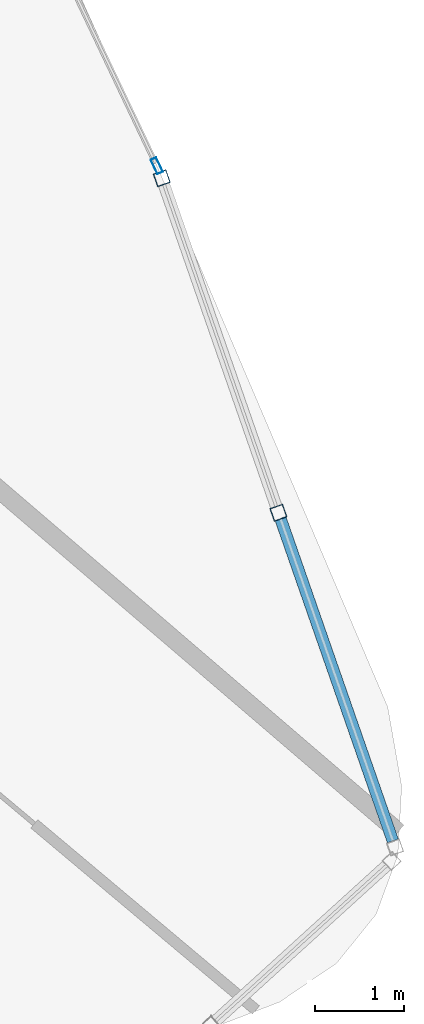
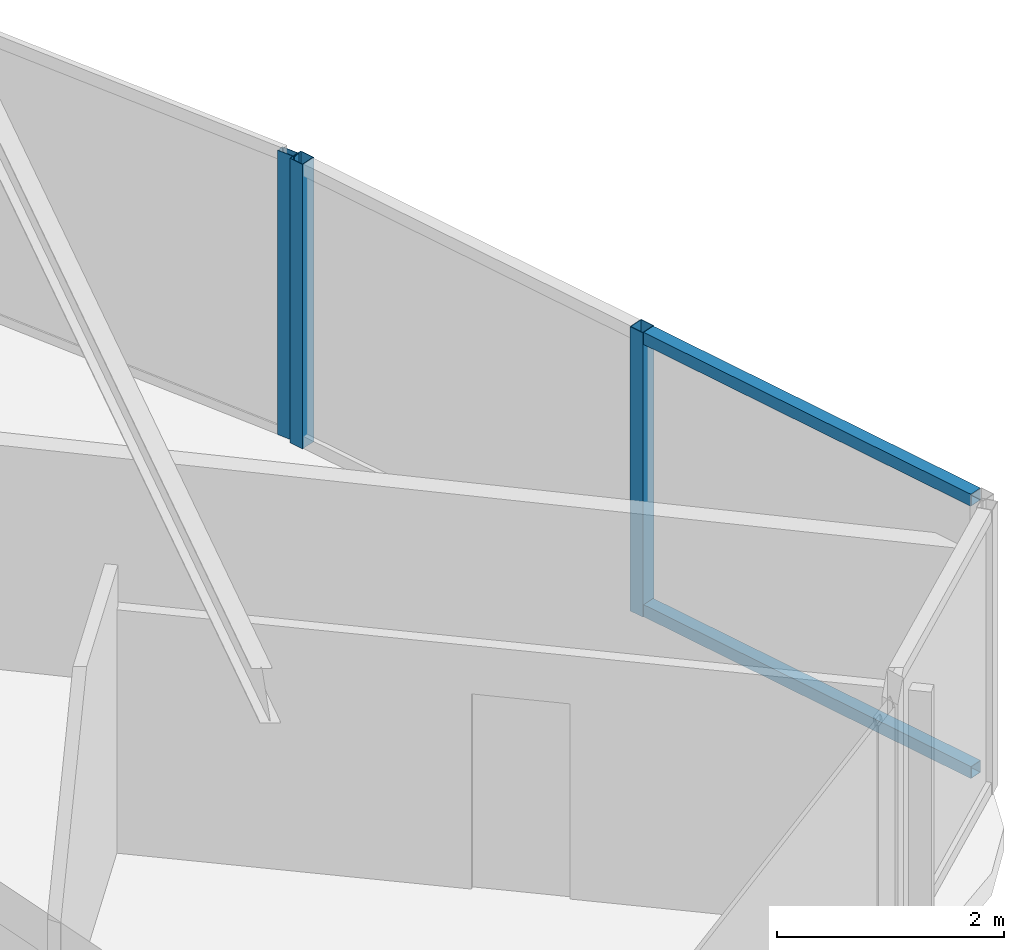
# One storey, part 16 of 35: 5 members, 2 elements without a shape of their own.
"""IFC4 building model written with IfcOpenShell, lengths in metres."""

from ifc_helpers import new_model, si_unit, direction, frame, origin, origin_2d, place, context, subcontext, project, spatial, hollow_rectangle, extrude, material, layer, layer_set, material_profile, profile_set, type_object, element, aggregate, save


model = new_model("IFC4")

# Units and contexts
model_context = context("Model", 3, precision=1e-05, world=origin(), true_north=direction((0.0, 1.0)))
body_context = subcontext(model_context, "Body", "Model", "MODEL_VIEW")
ifc_project = project(units=[si_unit("LENGTHUNIT", "METRE"), si_unit("AREAUNIT", "SQUARE_METRE"), si_unit("VOLUMEUNIT", "CUBIC_METRE"), si_unit("PLANEANGLEUNIT", "RADIAN"), si_unit("MASSUNIT", "GRAM", prefix="KILO")], contexts=[model_context])

# Site, building, storey
site_placement = place(None, origin())
site = spatial("IfcSite", under=ifc_project, at=site_placement, CompositionType="ELEMENT")
building_placement = place(site_placement, origin())
building = spatial("IfcBuilding", under=site, at=building_placement, Name="Orvanel Arch Residences", CompositionType="ELEMENT")
storey_placement = place(building_placement, frame((0.0, 0.0, 36.800048828125)))
storey = spatial("IfcBuildingStorey", under=building, at=storey_placement, Name="L09", CompositionType="ELEMENT", Elevation=36.800048828125)

# Curtain wall, members
ifc_material = material(Name="Bronze-anodised aluminium AA6063-T6", Category="aluminium")
ifc_layer_1 = layer(ifc_material, 0.18994140625)
ifc_layer_set_1 = layer_set([ifc_layer_1], Name="Bronze-anodised aluminium AA6063-T6")
curtain_wall_type_1 = type_object("IfcCurtainWallType", Name="CW5-CRN-SYS", PredefinedType="NOTDEFINED", material=ifc_layer_set_1)
curtain_wall_1_placement = place(storey_placement, origin())
curtain_wall_1 = element("IfcCurtainWall", 1, at=curtain_wall_1_placement, inside=storey, type_object=curtain_wall_type_1, Name="L09 CW5-CRN-SYS Unitised Curtain Wall", PredefinedType="NOTDEFINED")
ifc_material_profile_1 = material_profile(ifc_material, hollow_rectangle(XDim=0.14990234375, YDim=0.14990234375, WallThickness=0.0048828125, at=origin_2d()), Name="ALU150x150x5")
ifc_profile_set_1 = profile_set([ifc_material_profile_1], Name="Bronze-anodised aluminium AA6063-T6")
member_type_1 = type_object("IfcMemberType", Name="MUL-150x150", PredefinedType="MULLION", material=ifc_profile_set_1)
member_1_placement = place(storey_placement, frame((60.53857421875, 9.302978515625, 0.0), z_axis=(0.0, 0.0, 1.0), x_axis=(-0.94424408755, -0.329246265169, 0.0)))
member_1 = element("IfcMember", 2, at=member_1_placement, type_object=member_type_1, Name="CW-S5 mullion 2", PredefinedType="MULLION", context=body_context, shape_type="SweptSolid", body=[
    extrude(hollow_rectangle(XDim=0.14990234375, YDim=0.14990234375, WallThickness=0.0048828125, at=origin_2d()), origin(), (0.0, 0.0, 1.0), 3.06005859375),
])
member_2_placement = place(storey_placement, frame((59.234619140625, 13.042236328125, 0.0), z_axis=(0.0, 0.0, 1.0), x_axis=(-0.94424408755, -0.329246265169, 0.0)))
member_2 = element("IfcMember", 3, at=member_2_placement, type_object=member_type_1, Name="CW-S5 mullion 3", PredefinedType="MULLION", context=body_context, shape_type="SweptSolid", body=[
    extrude(hollow_rectangle(XDim=0.14990234375, YDim=0.14990234375, WallThickness=0.0048828125, at=origin_2d()), origin(), (0.0, 0.0, 1.0), 3.06005859375),
])

# Curtain wall, member
ifc_layer_2 = layer(ifc_material, 0.179931640625)
ifc_layer_set_2 = layer_set([ifc_layer_2], Name="Bronze-anodised aluminium AA6063-T6")
curtain_wall_type_2 = type_object("IfcCurtainWallType", Name="CW2-LOW-SYS", PredefinedType="NOTDEFINED", material=ifc_layer_set_2)
curtain_wall_2_placement = place(storey_placement, origin())
curtain_wall_2 = element("IfcCurtainWall", 4, at=curtain_wall_2_placement, inside=storey, type_object=curtain_wall_type_2, Name="L09 CW2-LOW-SYS Unitised Curtain Wall", PredefinedType="NOTDEFINED")
ifc_material_profile_2 = material_profile(ifc_material, hollow_rectangle(XDim=0.070068359375, YDim=0.179931640625, WallThickness=0.00439453125, at=origin_2d()), Name="ALU180x70x4.5")
ifc_profile_set_2 = profile_set([ifc_material_profile_2], Name="Bronze-anodised aluminium AA6063-T6")
member_type_2 = type_object("IfcMemberType", Name="MUL-180x70", PredefinedType="MULLION", material=ifc_profile_set_2)
member_3_placement = place(storey_placement, frame((59.178955078125, 13.181640625, 0.0), z_axis=(0.0, 0.0, 1.0), x_axis=(-0.903506444237, -0.4285745037, 0.0)))
member_3 = element("IfcMember", 5, at=member_3_placement, type_object=member_type_2, Name="CW-S2 mullion 1", PredefinedType="MULLION", context=body_context, shape_type="SweptSolid", body=[
    extrude(hollow_rectangle(XDim=0.070068359375, YDim=0.179931640625, WallThickness=0.00439453125, at=origin_2d()), origin(), (0.0, 0.0, 1.0), 3.06005859375),
])
aggregate(curtain_wall_2, [member_3])

# Member
ifc_material_profile_3 = material_profile(ifc_material, hollow_rectangle(XDim=0.1298828125, YDim=0.1298828125, WallThickness=0.00439453125, at=origin_2d()), Name="ALU130x130x4.5")
ifc_profile_set_3 = profile_set([ifc_material_profile_3], Name="Bronze-anodised aluminium AA6063-T6")
member_type_3 = type_object("IfcMemberType", Name="TRN-130x130", PredefinedType="USERDEFINED", material=ifc_profile_set_3)
member_4_placement = place(storey_placement, frame((61.817626953125, 5.634521484375, 0.06494140625), z_axis=(-0.329231329968, 0.944249295137, 0.0), x_axis=(-0.944249295137, -0.329231329968, 0.0)))
member_4 = element("IfcMember", 6, at=member_4_placement, type_object=member_type_3, Name="CW-S5 transom 1.1", ObjectType="TRANSOM", PredefinedType="USERDEFINED", context=body_context, shape_type="SweptSolid", body=[
    extrude(hollow_rectangle(XDim=0.1298828125, YDim=0.1298828125, WallThickness=0.00439453125, at=origin_2d()), origin(), (0.0, 0.0, 1.0), 3.81005859375),
])

member_5_placement = place(storey_placement, frame((61.817626953125, 5.634521484375, 2.994873046875), z_axis=(-0.329231329968, 0.944249295137, 0.0), x_axis=(-0.944249295137, -0.329231329968, 0.0)))
member_5 = element("IfcMember", 7, at=member_5_placement, type_object=member_type_3, Name="CW-S5 transom 1.2", ObjectType="TRANSOM", PredefinedType="USERDEFINED", context=body_context, shape_type="SweptSolid", body=[
    extrude(hollow_rectangle(XDim=0.1298828125, YDim=0.1298828125, WallThickness=0.00439453125, at=origin_2d()), origin(), (0.0, 0.0, 1.0), 3.81005859375),
])

aggregate(curtain_wall_1, [member_1, member_2, member_4, member_5])

save(model, "model.ifc")
